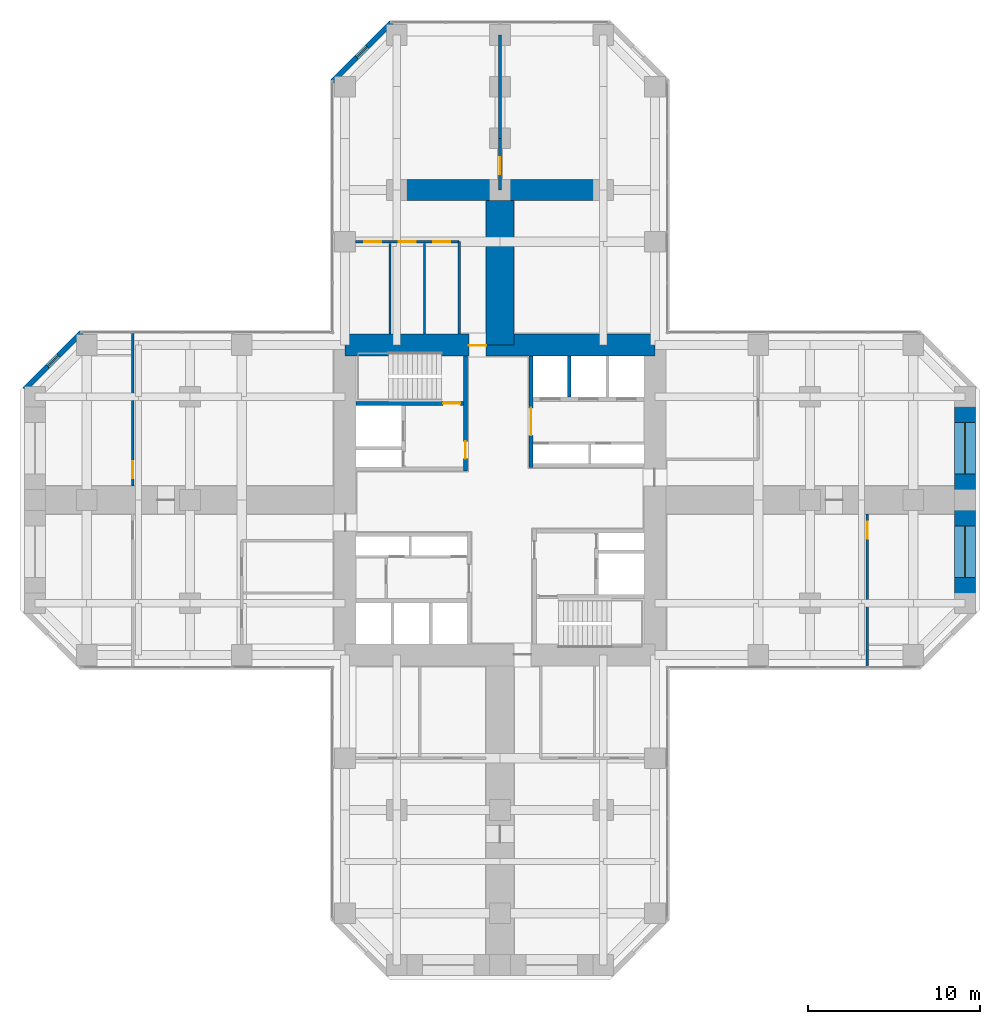
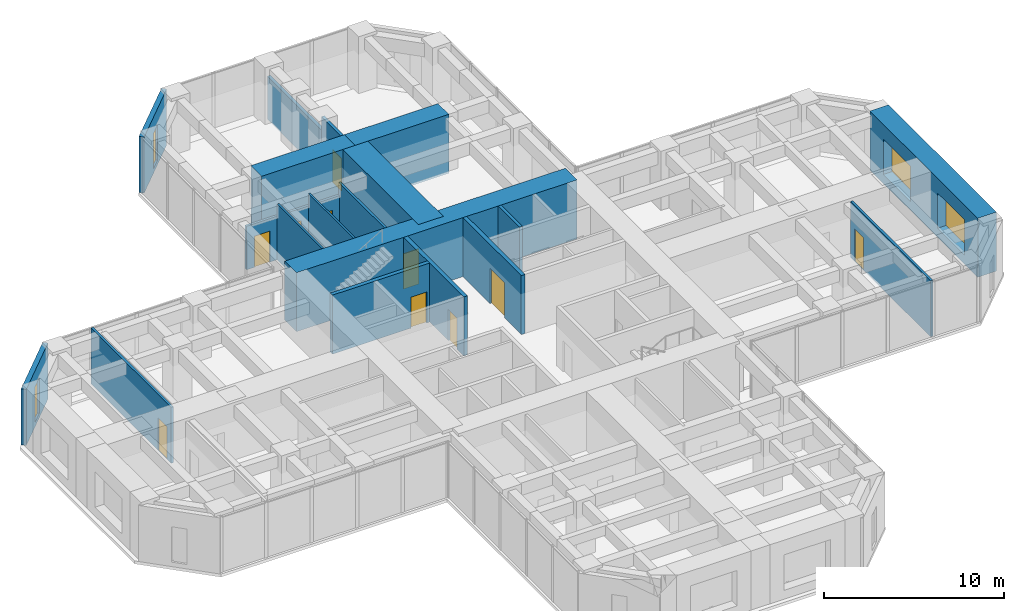
# One storey, part 10 of 12: 19 walls, 10 doors, 4 windows, 14 openings.
"""IFC4 building model written with IfcOpenShell, lengths in metres."""

from ifc_helpers import new_model, si_unit, direction, frame, frame_2d, origin, place, context, subcontext, project, spatial, rectangle, hollow_rectangle, extrude, material, layer, layer_set, constituent, constituent_set, type_object, element, fill, save


model = new_model("IFC4")

# Units and contexts
model_context = context("Model", 3, precision=1e-05, world=origin(), true_north=direction((0.0, 1.0)))
body_context = subcontext(model_context, "Body", "Model", "MODEL_VIEW")
ifc_project = project(units=[si_unit("LENGTHUNIT", "METRE"), si_unit("AREAUNIT", "SQUARE_METRE"), si_unit("VOLUMEUNIT", "CUBIC_METRE"), si_unit("PLANEANGLEUNIT", "RADIAN"), si_unit("MASSUNIT", "GRAM", prefix="KILO")], contexts=[model_context])

# Site, building, storey
site_placement = place(None, origin())
site = spatial("IfcSite", under=ifc_project, at=site_placement, CompositionType="ELEMENT")
building_placement = place(site_placement, origin())
building = spatial("IfcBuilding", under=site, at=building_placement, Name="Torre Cruceta", CompositionType="ELEMENT")
storey_placement = place(building_placement, frame((0.0, 0.0, 35.5)))
storey = spatial("IfcBuildingStorey", under=building, at=storey_placement, Name="L08", CompositionType="ELEMENT", Elevation=35.5)

# Wall, opening, door
ifc_material_1 = material(Name="Concrete G60 (fck 60 MPa)", Category="concrete")
ifc_layer_1 = layer(ifc_material_1, 0.25)
ifc_layer_set_1 = layer_set([ifc_layer_1], Name="Concrete G60 (fck 60 MPa)")
wall_type_1 = type_object("IfcWallType", Name="CORE INNER WALL 250 G60", PredefinedType="SHEAR", material=ifc_layer_set_1)
wall_1_placement = place(storey_placement, frame((1.800048828125, 1.875, 0.0), z_axis=(0.0, 0.0, 1.0), x_axis=(0.0, 1.0, 0.0)))
wall_1 = element("IfcWall", 1, at=wall_1_placement, inside=storey, type_object=wall_type_1, Name="CW4 L08 NE-CU", PredefinedType="SHEAR", context=body_context, shape_type="SweptSolid", body=[
    extrude(rectangle(XDim=6.47509765625, YDim=0.25, at=frame_2d((3.237548828125, 0.0))), origin(), (0.0, 0.0, 1.0), 4.0),
])
opening_1_placement = place(wall_1_placement, frame((1.875, 0.0, 0.0)))
opening_1 = element("IfcOpeningElement", 2, at=opening_1_placement, cuts=wall_1, Name="Opening D8", PredefinedType="OPENING", context=body_context, shape_type="SweptSolid", body=[
    extrude(rectangle(XDim=1.60009765625, YDim=2.39990234375, at=frame_2d((0.800048828125, 1.199951171875))), frame((0.0, 0.135009765625, 0.0), z_axis=(0.0, -1.0, 0.0), x_axis=(1.0, 0.0, 0.0)), (0.0, 0.0, 1.0), 0.27001953125),
])
ifc_material_2 = material(Name="Steel DX51D", Category="steel")
ifc_constituent_1 = constituent(ifc_material_2, Name="Leaf and frame")
ifc_material_3 = material(Name="Polyester powder coating", Category="paint")
ifc_constituent_2 = constituent(ifc_material_3, Name="Finish")
ifc_material_4 = material(Name="Fire-resisting glass", Category="glass")
ifc_constituent_3 = constituent(ifc_material_4, Name="Vision panel")
ifc_constituent_set_1 = constituent_set(constituents=[ifc_constituent_1, ifc_constituent_2, ifc_constituent_3], Name="Steel fire door with vision panels")
door_type_1 = type_object("IfcDoorType", Name="LIFT LOBBY DOUBLE DOOR 1600X2400", OperationType="DOUBLE_DOOR_DOUBLE_SWING", PredefinedType="DOOR", material=ifc_constituent_set_1)
door_1_placement = place(opening_1_placement, origin())
door_1 = element("IfcDoor", 3, at=door_1_placement, inside=storey, type_object=door_type_1, Name="D8 L08 NE-LOBBY", OperationType="DOUBLE_DOOR_DOUBLE_SWING", OverallHeight=2.39990234375, OverallWidth=1.60009765625, PredefinedType="DOOR", context=body_context, shape_type="SweptSolid", body=[
    extrude(rectangle(XDim=1.60009765625, YDim=2.39990234375, at=frame_2d((0.800048828125, 1.199951171875))), frame((0.0, 0.02490234375, 0.0), z_axis=(0.0, -1.0, 0.0), x_axis=(1.0, 0.0, 0.0)), (0.0, 0.0, 1.0), 0.050048828125),
])
fill(opening_1, door_1)

wall_2_placement = place(storey_placement, frame((-2.0, 1.675048828125, 0.0), z_axis=(0.0, 0.0, 1.0), x_axis=(0.0, 1.0, 0.0)))
wall_2 = element("IfcWall", 4, at=wall_2_placement, inside=storey, type_object=wall_type_1, Name="CW4 L08 NW-CU", PredefinedType="SHEAR", context=body_context, shape_type="SweptSolid", body=[
    extrude(rectangle(XDim=6.675048828125, YDim=0.25, at=frame_2d((3.33740234375, 0.0))), origin(), (0.0, 0.0, 1.0), 4.0),
])
opening_2_placement = place(wall_2_placement, frame((0.72509765625, 0.0, 0.0)))
opening_2 = element("IfcOpeningElement", 5, at=opening_2_placement, cuts=wall_2, Name="Opening D3", PredefinedType="OPENING", context=body_context, shape_type="SweptSolid", body=[
    extrude(rectangle(XDim=1.0, YDim=2.10009765625, at=frame_2d((0.5, 1.050048828125))), frame((0.0, 0.135009765625, 0.0), z_axis=(0.0, -1.0, 0.0), x_axis=(1.0, 0.0, 0.0)), (0.0, 0.0, 1.0), 0.27001953125),
])
ifc_material_5 = material(Name="Steel DX51D", Category="steel")
ifc_constituent_4 = constituent(ifc_material_5, Name="Leaf and frame")
ifc_material_6 = material(Name="Polyester powder coating", Category="paint")
ifc_constituent_5 = constituent(ifc_material_6, Name="Finish")
ifc_constituent_set_2 = constituent_set(constituents=[ifc_constituent_4, ifc_constituent_5], Name="Steel fire door")
door_type_2 = type_object("IfcDoorType", Name="FIRE DOOR 1000X2100", OperationType="SINGLE_SWING_LEFT", PredefinedType="DOOR", material=ifc_constituent_set_2)
door_2_placement = place(opening_2_placement, origin())
door_2 = element("IfcDoor", 6, at=door_2_placement, inside=storey, type_object=door_type_2, Name="D3 L08 NW-LOBBY", OperationType="SINGLE_SWING_LEFT", OverallHeight=2.10009765625, OverallWidth=1.0, PredefinedType="DOOR", context=body_context, shape_type="SweptSolid", body=[
    extrude(rectangle(XDim=1.0, YDim=2.10009765625, at=frame_2d((0.5, 1.050048828125))), frame((0.0, 0.02490234375, 0.0), z_axis=(0.0, -1.0, 0.0), x_axis=(1.0, 0.0, 0.0)), (0.0, 0.0, 1.0), 0.050048828125),
])
fill(opening_2, door_2)

wall_3_placement = place(storey_placement, frame((-2.125, 5.60009765625, 0.0), z_axis=(0.0, 0.0, 1.0), x_axis=(-1.0, 0.0, 0.0)))
wall_3 = element("IfcWall", 7, at=wall_3_placement, inside=storey, type_object=wall_type_1, Name="CW4 L08 NW-SV", PredefinedType="SHEAR", context=body_context, shape_type="SweptSolid", body=[
    extrude(rectangle(XDim=6.22509765625, YDim=0.25, at=frame_2d((3.112548828125, 0.0))), origin(), (0.0, 0.0, 1.0), 4.0),
])
opening_3_placement = place(wall_3_placement, frame((0.175048828125, 0.0, 0.0)))
opening_3 = element("IfcOpeningElement", 8, at=opening_3_placement, cuts=wall_3, Name="Opening D3", PredefinedType="OPENING", context=body_context, shape_type="SweptSolid", body=[
    extrude(rectangle(XDim=1.0, YDim=2.10009765625, at=frame_2d((0.5, 1.050048828125))), frame((0.0, 0.135009765625, 0.0), z_axis=(0.0, -1.0, 0.0), x_axis=(1.0, 0.0, 0.0)), (0.0, 0.0, 1.0), 0.27001953125),
])
door_3_placement = place(opening_3_placement, frame((1.0, 0.0, 0.0), z_axis=(0.0, 0.0, 1.0), x_axis=(-1.0, 0.0, 0.0)))
door_3 = element("IfcDoor", 9, at=door_3_placement, inside=storey, type_object=door_type_2, Name="D3 L08 NW-STAIR", OperationType="SINGLE_SWING_RIGHT", OverallHeight=2.10009765625, OverallWidth=1.0, PredefinedType="DOOR", context=body_context, shape_type="SweptSolid", body=[
    extrude(rectangle(XDim=1.0, YDim=2.10009765625, at=frame_2d((0.5, 1.050048828125))), frame((0.0, 0.025146484375, 0.0), z_axis=(0.0, -1.0, 0.0), x_axis=(1.0, 0.0, 0.0)), (0.0, 0.0, 1.0), 0.050048828125),
])
fill(opening_3, door_3)

ifc_material_7 = material(Name="Concrete G60 (fck 60 MPa)", Category="concrete")
ifc_layer_2 = layer(ifc_material_7, 1.300048828125)
ifc_layer_set_2 = layer_set([ifc_layer_2], Name="Concrete G60 (fck 60 MPa)")
wall_type_2 = type_object("IfcWallType", Name="CORE WALL 1300 G60", PredefinedType="SHEAR", material=ifc_layer_set_2)
wall_4_placement = place(storey_placement, frame((9.0, 9.0, 0.0), z_axis=(0.0, 0.0, 1.0), x_axis=(-1.0, 0.0, 0.0)))
wall_4 = element("IfcWall", 10, at=wall_4_placement, inside=storey, type_object=wall_type_2, Name="CW1 L08 CW-N", PredefinedType="SHEAR", context=body_context, shape_type="SweptSolid", body=[
    extrude(rectangle(XDim=18.0, YDim=1.300048828125, at=frame_2d((9.0, 0.0))), origin(), (0.0, 0.0, 1.0), 4.0),
])
opening_4_placement = place(wall_4_placement, frame((9.800048828125, 0.0, 0.0)))
opening_4 = element("IfcOpeningElement", 11, at=opening_4_placement, cuts=wall_4, Name="Opening D4", PredefinedType="OPENING", context=body_context, shape_type="SweptSolid", body=[
    extrude(rectangle(XDim=1.0, YDim=2.39990234375, at=frame_2d((0.5, 1.199951171875))), frame((0.0, 0.659912109375, 0.0), z_axis=(0.0, -1.0, 0.0), x_axis=(1.0, 0.0, 0.0)), (0.0, 0.0, 1.0), 1.320068359375),
])
ifc_material_8 = material(Name="Steel DX51D", Category="steel")
ifc_constituent_6 = constituent(ifc_material_8, Name="Leaf and frame")
ifc_material_9 = material(Name="Polyester powder coating", Category="paint")
ifc_constituent_7 = constituent(ifc_material_9, Name="Finish")
ifc_constituent_set_3 = constituent_set(constituents=[ifc_constituent_6, ifc_constituent_7], Name="Steel fire door")
door_type_3 = type_object("IfcDoorType", Name="CORE ARM DOOR 1000X2400", OperationType="SINGLE_SWING_RIGHT", PredefinedType="DOOR", material=ifc_constituent_set_3)
door_4_placement = place(opening_4_placement, frame((1.0, 0.0, 0.0), z_axis=(0.0, 0.0, 1.0), x_axis=(-1.0, 0.0, 0.0)))
door_4 = element("IfcDoor", 12, at=door_4_placement, inside=storey, type_object=door_type_3, Name="D4 L08 CW-N", OperationType="SINGLE_SWING_RIGHT", OverallHeight=2.39990234375, OverallWidth=1.0, PredefinedType="DOOR", context=body_context, shape_type="SweptSolid", body=[
    extrude(rectangle(XDim=1.0, YDim=2.39990234375, at=frame_2d((0.5, 1.199951171875))), frame((0.0, -0.005126953125, 0.0), z_axis=(0.0, -1.0, 0.0), x_axis=(1.0, 0.0, 0.0)), (0.0, 0.0, 1.0), 0.050048828125),
])
fill(opening_4, door_4)

ifc_material_10 = material(Name="Concrete G25 (fck 25 MPa)", Category="concrete")
ifc_layer_3 = layer(ifc_material_10, 0.199951171875)
ifc_layer_set_3 = layer_set([ifc_layer_3], Name="Concrete G25 (fck 25 MPa)")
wall_type_3 = type_object("IfcWallType", Name="CORRIDOR WALL 200", PredefinedType="SOLIDWALL", material=ifc_layer_set_3)
wall_5_placement = place(storey_placement, frame((0.0, 18.0, 0.0), z_axis=(0.0, 0.0, 1.0), x_axis=(0.0, 1.0, 0.0)))
wall_5 = element("IfcWall", 13, at=wall_5_placement, inside=storey, type_object=wall_type_3, Name="PT3 spine line L08 N", PredefinedType="SOLIDWALL", context=body_context, shape_type="SweptSolid", body=[
    extrude(rectangle(XDim=3.0, YDim=0.199951171875, at=frame_2d((1.5, 0.0))), origin(), (0.0, 0.0, 1.0), 3.800048828125),
])
opening_5_placement = place(wall_5_placement, frame((0.89990234375, 0.0, 0.0)))
opening_5 = element("IfcOpeningElement", 14, at=opening_5_placement, cuts=wall_5, Name="Opening D14", PredefinedType="OPENING", context=body_context, shape_type="SweptSolid", body=[
    extrude(rectangle(XDim=1.0, YDim=2.199951171875, at=frame_2d((0.5, 1.10009765625))), frame((0.0, 0.10986328125, 0.0), z_axis=(0.0, -1.0, 0.0), x_axis=(1.0, 0.0, 0.0)), (0.0, 0.0, 1.0), 0.219970703125),
])
ifc_material_11 = material(Name="Steel DX51D", Category="steel")
ifc_constituent_8 = constituent(ifc_material_11, Name="Leaf and frame")
ifc_material_12 = material(Name="Polyester powder coating", Category="paint")
ifc_constituent_9 = constituent(ifc_material_12, Name="Finish")
ifc_material_13 = material(Name="Fire-resisting glass", Category="glass")
ifc_constituent_10 = constituent(ifc_material_13, Name="Vision panel")
ifc_constituent_set_4 = constituent_set(constituents=[ifc_constituent_8, ifc_constituent_9, ifc_constituent_10], Name="Steel fire door with vision panel")
door_type_4 = type_object("IfcDoorType", Name="FIRE DOOR VISION PANEL 1000X2200", OperationType="SINGLE_SWING_RIGHT", PredefinedType="DOOR", material=ifc_constituent_set_4)
door_5_placement = place(opening_5_placement, origin())
door_5 = element("IfcDoor", 15, at=door_5_placement, inside=storey, type_object=door_type_4, Name="D14 L08-N-SP1", OperationType="SINGLE_SWING_LEFT", OverallHeight=2.199951171875, OverallWidth=1.0, PredefinedType="DOOR", context=body_context, shape_type="SweptSolid", body=[
    extrude(rectangle(XDim=1.0, YDim=2.199951171875, at=frame_2d((0.5, 1.10009765625))), frame((0.0, 0.02490234375, 0.0), z_axis=(0.0, -1.0, 0.0), x_axis=(1.0, 0.0, 0.0)), (0.0, 0.0, 1.0), 0.050048828125),
])
fill(opening_5, door_5)

# Walls
wall_6_placement = place(storey_placement, frame((0.0, 21.0, 0.0), z_axis=(0.0, 0.0, 1.0), x_axis=(0.0, 1.0, 0.0)))
element("IfcWall", 16, at=wall_6_placement, inside=storey, type_object=wall_type_3, Name="PT3 spine line L08 N 2", PredefinedType="SOLIDWALL", context=body_context, shape_type="SweptSolid", body=[
    extrude(rectangle(XDim=6.0, YDim=0.199951171875, at=frame_2d((3.0, 0.0))), origin(), (0.0, 0.0, 1.0), 2.89990234375),
])
ifc_material_14 = material(Name="Concrete G60 (fck 60 MPa)", Category="concrete")
ifc_layer_4 = layer(ifc_material_14, 1.199951171875)
ifc_layer_set_4 = layer_set([ifc_layer_4], Name="Concrete G60 (fck 60 MPa)")
wall_type_4 = type_object("IfcWallType", Name="CROSS WALL 1200 G60", PredefinedType="SHEAR", material=ifc_layer_set_4)
for number, where, z_axis, x_axis, name in (
    (17, (0.0, 18.0, 0.0), (0.0, 0.0, 1.0), (-1.0, 0.0, 0.0), "XW1 cross wall L08 N L"),
    (18, (0.0, 18.0, 0.0), (0.0, 0.0, 1.0), (1.0, 0.0, 0.0), "XW1 cross wall L08 N R"),
):
    element("IfcWall", number, at=place(storey_placement, frame(where, z_axis=z_axis, x_axis=x_axis)), inside=storey, type_object=wall_type_4, Name=name, PredefinedType="SHEAR", context=body_context, shape_type="SweptSolid", body=[
        extrude(rectangle(XDim=6.0, YDim=1.199951171875, at=frame_2d((3.0, 0.0))), origin(), (0.0, 0.0, 1.0), 4.0),
    ])

# Wall, opening, window
ifc_material_15 = material(Name="Concrete G30 (fck 30 MPa)", Category="concrete")
ifc_layer_5 = layer(ifc_material_15, 0.300048828125)
ifc_layer_set_5 = layer_set([ifc_layer_5], Name="Concrete G30 (fck 30 MPa)")
wall_type_5 = type_object("IfcWallType", Name="EXPOSED CONCRETE FACADE WALL 300", PredefinedType="SOLIDWALL", material=ifc_layer_set_5)
wall_7_placement = place(storey_placement, frame((-6.29833984375, 27.719970703125, 0.0), z_axis=(0.0, 0.0, 1.0), x_axis=(-0.707106781187, -0.707106781187, 0.0)))
wall_7 = element("IfcWall", 19, at=wall_7_placement, inside=storey, type_object=wall_type_5, Name="EW1 facade wall L08 N chamfer 08", PredefinedType="SOLIDWALL", context=body_context, shape_type="SweptSolid", body=[
    extrude(rectangle(XDim=4.8388671875, YDim=0.300048828125, at=frame_2d((2.41943359375, 0.0))), origin(), (0.0, 0.0, 1.0), 3.800048828125),
])
opening_6_placement = place(wall_7_placement, frame((1.969482421875, 0.0, 0.300048828125)))
opening_6 = element("IfcOpeningElement", 20, at=opening_6_placement, cuts=wall_7, Name="Opening WN5", PredefinedType="OPENING", context=body_context, shape_type="SweptSolid", body=[
    extrude(rectangle(XDim=0.89990234375, YDim=2.39990234375, at=frame_2d((0.449951171875, 1.199951171875))), frame((0.0, 0.159912109375, 0.0), z_axis=(0.0, -1.0, 0.0), x_axis=(1.0, 0.0, 0.0)), (0.0, 0.0, 1.0), 0.320068359375),
])
ifc_material_16 = material(Name="Aluminium window frame", Category="aluminium")
ifc_constituent_11 = constituent(ifc_material_16, Name="Frame")
ifc_material_17 = material(Name="Laminated insulating glass unit, low-iron clear", Category="glass")
ifc_constituent_12 = constituent(ifc_material_17, Name="Glazing")
ifc_constituent_set_5 = constituent_set(constituents=[ifc_constituent_11, ifc_constituent_12], Name="Aluminium window")
window_type_1 = type_object("IfcWindowType", Name="CHAMFER SLOT WINDOW 900X2400", PartitioningType="SINGLE_PANEL", PredefinedType="WINDOW", material=ifc_constituent_set_5)
window_1_placement = place(opening_6_placement, origin())
window_1 = element("IfcWindow", 21, at=window_1_placement, inside=storey, type_object=window_type_1, Name="WN5 L08 N 1", OverallHeight=2.39990234375, OverallWidth=0.89990234375, PartitioningType="SINGLE_PANEL", PredefinedType="WINDOW", context=body_context, shape_type="SweptSolid", body=[
    extrude(hollow_rectangle(XDim=0.89990234375, YDim=2.39990234375, WallThickness=0.06005859375, at=frame_2d((0.449951171875, 1.199951171875))), frame((0.0, 0.030029296875, 0.0), z_axis=(0.0, -1.0, 0.0), x_axis=(1.0, 0.0, 0.0)), (0.0, 0.0, 1.0), 0.06005859375),
    extrude(rectangle(XDim=0.77880859375, YDim=2.27880859375, at=frame_2d((0.449951171875, 1.199951171875))), frame((0.0, 0.030029296875, 0.0), z_axis=(0.0, -1.0, 0.0), x_axis=(1.0, 0.0, 0.0)), (0.0, 0.0, 1.0), 0.06005859375),
])
fill(opening_6, window_1)

wall_8_placement = place(storey_placement, frame((-24.29833984375, 9.719970703125, 0.0), z_axis=(0.0, 0.0, 1.0), x_axis=(-0.707106781187, -0.707106781187, 0.0)))
wall_8 = element("IfcWall", 22, at=wall_8_placement, inside=storey, type_object=wall_type_5, Name="EW1 facade wall L08 W chamfer 11", PredefinedType="SOLIDWALL", context=body_context, shape_type="SweptSolid", body=[
    extrude(rectangle(XDim=4.66943359375, YDim=0.300048828125, at=frame_2d((2.334716796875, 0.0))), origin(), (0.0, 0.0, 1.0), 3.800048828125),
])
opening_7_placement = place(wall_8_placement, frame((1.884765625, 0.0, 0.300048828125)))
opening_7 = element("IfcOpeningElement", 23, at=opening_7_placement, cuts=wall_8, Name="Opening WN5", PredefinedType="OPENING", context=body_context, shape_type="SweptSolid", body=[
    extrude(rectangle(XDim=0.89990234375, YDim=2.39990234375, at=frame_2d((0.449951171875, 1.199951171875))), frame((0.0, 0.159912109375, 0.0), z_axis=(0.0, -1.0, 0.0), x_axis=(1.0, 0.0, 0.0)), (0.0, 0.0, 1.0), 0.320068359375),
])
window_2_placement = place(opening_7_placement, origin())
window_2 = element("IfcWindow", 24, at=window_2_placement, inside=storey, type_object=window_type_1, Name="WN5 L08 W 1", OverallHeight=2.39990234375, OverallWidth=0.89990234375, PartitioningType="SINGLE_PANEL", PredefinedType="WINDOW", context=body_context, shape_type="SweptSolid", body=[
    extrude(hollow_rectangle(XDim=0.89990234375, YDim=2.39990234375, WallThickness=0.06005859375, at=frame_2d((0.449951171875, 1.199951171875))), frame((0.0, 0.030029296875, 0.0), z_axis=(0.0, -1.0, 0.0), x_axis=(1.0, 0.0, 0.0)), (0.0, 0.0, 1.0), 0.06005859375),
    extrude(rectangle(XDim=0.77880859375, YDim=2.27880859375, at=frame_2d((0.449951171875, 1.199951171875))), frame((0.0, 0.030029296875, 0.0), z_axis=(0.0, -1.0, 0.0), x_axis=(1.0, 0.0, 0.0)), (0.0, 0.0, 1.0), 0.06005859375),
])
fill(opening_7, window_2)

# Wall
ifc_material_18 = material(Name="Concrete G35 (fck 35 MPa)", Category="concrete")
ifc_layer_6 = layer(ifc_material_18, 0.199951171875)
ifc_layer_set_6 = layer_set([ifc_layer_6], Name="Concrete G35 (fck 35 MPa)")
wall_type_6 = type_object("IfcWallType", Name="LIFT SHAFT WALL 200", PredefinedType="PARTITIONING", material=ifc_layer_set_6)
wall_9_placement = place(storey_placement, frame((4.033447265625, 5.97509765625, 0.0), z_axis=(0.0, 0.0, 1.0), x_axis=(0.0, 1.0, 0.0)))
element("IfcWall", 25, at=wall_9_placement, inside=storey, type_object=wall_type_6, Name="SW1 L08 NE-LS1", PredefinedType="PARTITIONING", context=body_context, shape_type="SweptSolid", body=[
    extrude(rectangle(XDim=2.375, YDim=0.199951171875, at=frame_2d((1.1875, 0.0))), origin(), (0.0, 0.0, 1.0), 4.0),
])

# Wall, openings, windows
ifc_material_19 = material(Name="Concrete G60 (fck 60 MPa)", Category="concrete")
ifc_layer_7 = layer(ifc_material_19, 1.199951171875)
ifc_layer_set_7 = layer_set([ifc_layer_7], Name="Concrete G60 (fck 60 MPa)")
wall_type_7 = type_object("IfcWallType", Name="NOSE WALL 1200 G60", PredefinedType="SHEAR", material=ifc_layer_set_7)
wall_10_placement = place(storey_placement, frame((27.0, -6.0, 0.0), z_axis=(0.0, 0.0, 1.0), x_axis=(0.0, 1.0, 0.0)))
wall_10 = element("IfcWall", 26, at=wall_10_placement, inside=storey, type_object=wall_type_7, Name="NW1 nose wall L08 E", PredefinedType="SHEAR", context=body_context, shape_type="SweptSolid", body=[
    extrude(rectangle(XDim=12.0, YDim=1.199951171875, at=frame_2d((6.0, 0.0))), origin(), (0.0, 0.0, 1.0), 4.0),
])
opening_8_placement = place(wall_10_placement, frame((1.5, 0.0, 0.60009765625)))
opening_8 = element("IfcOpeningElement", 27, at=opening_8_placement, cuts=wall_10, Name="Opening WN6", PredefinedType="OPENING", context=body_context, shape_type="SweptSolid", body=[
    extrude(rectangle(XDim=3.0, YDim=2.39990234375, at=frame_2d((1.5, 1.199951171875))), frame((0.0, 0.60986328125, 0.0), z_axis=(0.0, -1.0, 0.0), x_axis=(1.0, 0.0, 0.0)), (0.0, 0.0, 1.0), 1.219970703125),
])
opening_9_placement = place(wall_10_placement, frame((7.5, 0.0, 0.60009765625)))
opening_9 = element("IfcOpeningElement", 28, at=opening_9_placement, cuts=wall_10, Name="Opening WN6", PredefinedType="OPENING", context=body_context, shape_type="SweptSolid", body=[
    extrude(rectangle(XDim=3.0, YDim=2.39990234375, at=frame_2d((1.5, 1.199951171875))), frame((0.0, 0.60986328125, 0.0), z_axis=(0.0, -1.0, 0.0), x_axis=(1.0, 0.0, 0.0)), (0.0, 0.0, 1.0), 1.219970703125),
])
ifc_material_20 = material(Name="Aluminium window frame", Category="aluminium")
ifc_constituent_13 = constituent(ifc_material_20, Name="Frame")
ifc_material_21 = material(Name="Laminated insulating glass unit, low-iron clear", Category="glass")
ifc_constituent_14 = constituent(ifc_material_21, Name="Glazing")
ifc_constituent_set_6 = constituent_set(constituents=[ifc_constituent_13, ifc_constituent_14], Name="Aluminium window")
window_type_2 = type_object("IfcWindowType", Name="NOSE WALL WINDOW 3000X2400", PartitioningType="SINGLE_PANEL", PredefinedType="WINDOW", material=ifc_constituent_set_6)
window_3_placement = place(opening_8_placement, origin())
window_3 = element("IfcWindow", 29, at=window_3_placement, inside=storey, type_object=window_type_2, Name="WN6 L08 E 1", OverallHeight=2.39990234375, OverallWidth=3.0, PartitioningType="SINGLE_PANEL", PredefinedType="WINDOW", context=body_context, shape_type="SweptSolid", body=[
    extrude(hollow_rectangle(XDim=3.0, YDim=2.39990234375, WallThickness=0.06005859375, at=frame_2d((1.5, 1.199951171875))), frame((0.0, 0.030029296875, 0.0), z_axis=(0.0, -1.0, 0.0), x_axis=(1.0, 0.0, 0.0)), (0.0, 0.0, 1.0), 0.06005859375),
    extrude(rectangle(XDim=2.87890625, YDim=2.27880859375, at=frame_2d((1.5, 1.199951171875))), frame((0.0, 0.030029296875, 0.0), z_axis=(0.0, -1.0, 0.0), x_axis=(1.0, 0.0, 0.0)), (0.0, 0.0, 1.0), 0.06005859375),
])
fill(opening_8, window_3)
window_4_placement = place(opening_9_placement, origin())
window_4 = element("IfcWindow", 30, at=window_4_placement, inside=storey, type_object=window_type_2, Name="WN6 L08 E 2", OverallHeight=2.39990234375, OverallWidth=3.0, PartitioningType="SINGLE_PANEL", PredefinedType="WINDOW", context=body_context, shape_type="SweptSolid", body=[
    extrude(hollow_rectangle(XDim=3.0, YDim=2.39990234375, WallThickness=0.06005859375, at=frame_2d((1.5, 1.199951171875))), frame((0.0, 0.030029296875, 0.0), z_axis=(0.0, -1.0, 0.0), x_axis=(1.0, 0.0, 0.0)), (0.0, 0.0, 1.0), 0.06005859375),
    extrude(rectangle(XDim=2.87890625, YDim=2.27880859375, at=frame_2d((1.5, 1.199951171875))), frame((0.0, 0.030029296875, 0.0), z_axis=(0.0, -1.0, 0.0), x_axis=(1.0, 0.0, 0.0)), (0.0, 0.0, 1.0), 0.06005859375),
])
fill(opening_9, window_4)

# Wall, openings, doors
ifc_material_22 = material(Name="Plasterboard on steel studs", Category="steel")
ifc_layer_8 = layer(ifc_material_22, 0.14990234375)
ifc_layer_set_8 = layer_set([ifc_layer_8], Name="Plasterboard on steel studs")
wall_type_8 = type_object("IfcWallType", Name="PARTITION 150", PredefinedType="PARTITIONING", material=ifc_layer_set_8)
wall_11_placement = place(storey_placement, frame((-2.375, 15.0, 0.0), z_axis=(0.0, 0.0, 1.0), x_axis=(-1.0, 0.0, 0.0)))
wall_11 = element("IfcWall", 31, at=wall_11_placement, inside=storey, type_object=wall_type_8, Name="PT1 L08-N-BFL", PredefinedType="PARTITIONING", context=body_context, shape_type="SweptSolid", body=[
    extrude(rectangle(XDim=6.02490234375, YDim=0.14990234375, at=frame_2d((3.012451171875, 0.0))), origin(), (0.0, 0.0, 1.0), 2.949951171875),
])
opening_10_placement = place(wall_11_placement, frame((0.504150390625, 0.0, 0.0)))
opening_10 = element("IfcOpeningElement", 32, at=opening_10_placement, cuts=wall_11, Name="Opening D3", PredefinedType="OPENING", context=body_context, shape_type="SweptSolid", body=[
    extrude(rectangle(XDim=1.0, YDim=2.10009765625, at=frame_2d((0.5, 1.050048828125))), frame((0.0, 0.0849609375, 0.0), z_axis=(0.0, -1.0, 0.0), x_axis=(1.0, 0.0, 0.0)), (0.0, 0.0, 1.0), 0.169921875),
])
opening_11_placement = place(wall_11_placement, frame((2.512451171875, 0.0, 0.0)))
opening_11 = element("IfcOpeningElement", 33, at=opening_11_placement, cuts=wall_11, Name="Opening D3", PredefinedType="OPENING", context=body_context, shape_type="SweptSolid", body=[
    extrude(rectangle(XDim=1.0, YDim=2.10009765625, at=frame_2d((0.5, 1.050048828125))), frame((0.0, 0.0849609375, 0.0), z_axis=(0.0, -1.0, 0.0), x_axis=(1.0, 0.0, 0.0)), (0.0, 0.0, 1.0), 0.169921875),
])
opening_12_placement = place(wall_11_placement, frame((4.520751953125, 0.0, 0.0)))
opening_12 = element("IfcOpeningElement", 34, at=opening_12_placement, cuts=wall_11, Name="Opening D3", PredefinedType="OPENING", context=body_context, shape_type="SweptSolid", body=[
    extrude(rectangle(XDim=1.0, YDim=2.10009765625, at=frame_2d((0.5, 1.050048828125))), frame((0.0, 0.0849609375, 0.0), z_axis=(0.0, -1.0, 0.0), x_axis=(1.0, 0.0, 0.0)), (0.0, 0.0, 1.0), 0.169921875),
])
door_6_placement = place(opening_10_placement, origin())
door_6 = element("IfcDoor", 35, at=door_6_placement, inside=storey, type_object=door_type_2, Name="D3 L08-N-BFL-D1", OperationType="SINGLE_SWING_LEFT", OverallHeight=2.10009765625, OverallWidth=1.0, PredefinedType="DOOR", context=body_context, shape_type="SweptSolid", body=[
    extrude(rectangle(XDim=1.0, YDim=2.10009765625, at=frame_2d((0.5, 1.050048828125))), frame((0.0, 0.02490234375, 0.0), z_axis=(0.0, -1.0, 0.0), x_axis=(1.0, 0.0, 0.0)), (0.0, 0.0, 1.0), 0.050048828125),
])
fill(opening_10, door_6)
door_7_placement = place(opening_11_placement, origin())
door_7 = element("IfcDoor", 36, at=door_7_placement, inside=storey, type_object=door_type_2, Name="D3 L08-N-BFL-D2", OperationType="SINGLE_SWING_LEFT", OverallHeight=2.10009765625, OverallWidth=1.0, PredefinedType="DOOR", context=body_context, shape_type="SweptSolid", body=[
    extrude(rectangle(XDim=1.0, YDim=2.10009765625, at=frame_2d((0.5, 1.050048828125))), frame((0.0, 0.02490234375, 0.0), z_axis=(0.0, -1.0, 0.0), x_axis=(1.0, 0.0, 0.0)), (0.0, 0.0, 1.0), 0.050048828125),
])
fill(opening_11, door_7)
door_8_placement = place(opening_12_placement, origin())
door_8 = element("IfcDoor", 37, at=door_8_placement, inside=storey, type_object=door_type_2, Name="D3 L08-N-BFL-D3", OperationType="SINGLE_SWING_LEFT", OverallHeight=2.10009765625, OverallWidth=1.0, PredefinedType="DOOR", context=body_context, shape_type="SweptSolid", body=[
    extrude(rectangle(XDim=1.0, YDim=2.10009765625, at=frame_2d((0.5, 1.050048828125))), frame((0.0, 0.02490234375, 0.0), z_axis=(0.0, -1.0, 0.0), x_axis=(1.0, 0.0, 0.0)), (0.0, 0.0, 1.0), 0.050048828125),
])
fill(opening_12, door_8)

# Wall
wall_12_placement = place(storey_placement, frame((-2.375, 9.64990234375, 0.0), z_axis=(0.0, 0.0, 1.0), x_axis=(0.0, 1.0, 0.0)))
element("IfcWall", 38, at=wall_12_placement, inside=storey, type_object=wall_type_8, Name="PT1 L08-N-BSL", PredefinedType="PARTITIONING", context=body_context, shape_type="SweptSolid", body=[
    extrude(rectangle(XDim=5.35009765625, YDim=0.14990234375, at=frame_2d((2.675048828125, 0.0))), origin(), (0.0, 0.0, 1.0), 3.800048828125),
])

# Wall, opening, door
wall_13_placement = place(storey_placement, frame((21.320068359375, -9.679931640625, 0.0), z_axis=(0.0, 0.0, 1.0), x_axis=(0.0, 1.0, 0.0)))
wall_13 = element("IfcWall", 39, at=wall_13_placement, inside=storey, type_object=wall_type_8, Name="PT1 L08-E-TWR", PredefinedType="PARTITIONING", context=body_context, shape_type="SweptSolid", body=[
    extrude(rectangle(XDim=8.8798828125, YDim=0.14990234375, at=frame_2d((4.43994140625, 0.0))), origin(), (0.0, 0.0, 1.0), 3.800048828125),
])
opening_13_placement = place(wall_13_placement, frame((7.429931640625, 0.0, 0.0)))
opening_13 = element("IfcOpeningElement", 40, at=opening_13_placement, cuts=wall_13, Name="Opening D14", PredefinedType="OPENING", context=body_context, shape_type="SweptSolid", body=[
    extrude(rectangle(XDim=1.0, YDim=2.199951171875, at=frame_2d((0.5, 1.10009765625))), frame((0.0, 0.0849609375, 0.0), z_axis=(0.0, -1.0, 0.0), x_axis=(1.0, 0.0, 0.0)), (0.0, 0.0, 1.0), 0.169921875),
])
door_9_placement = place(opening_13_placement, frame((1.0, 0.0, 0.0), z_axis=(0.0, 0.0, 1.0), x_axis=(-1.0, 0.0, 0.0)))
door_9 = element("IfcDoor", 41, at=door_9_placement, inside=storey, type_object=door_type_4, Name="D14 L08-E-TWR-D1", OperationType="SINGLE_SWING_LEFT", OverallHeight=2.199951171875, OverallWidth=1.0, PredefinedType="DOOR", context=body_context, shape_type="SweptSolid", body=[
    extrude(rectangle(XDim=1.0, YDim=2.199951171875, at=frame_2d((0.5, 1.10009765625))), frame((0.0, 0.025146484375, 0.0), z_axis=(0.0, -1.0, 0.0), x_axis=(1.0, 0.0, 0.0)), (0.0, 0.0, 1.0), 0.050048828125),
])
fill(opening_13, door_9)

wall_14_placement = place(storey_placement, frame((-21.320068359375, 9.679931640625, 0.0), z_axis=(0.0, 0.0, 1.0), x_axis=(0.0, -1.0, 0.0)))
wall_14 = element("IfcWall", 42, at=wall_14_placement, inside=storey, type_object=wall_type_8, Name="PT1 L08-W-TWR", PredefinedType="PARTITIONING", context=body_context, shape_type="SweptSolid", body=[
    extrude(rectangle(XDim=8.8798828125, YDim=0.14990234375, at=frame_2d((4.43994140625, 0.0))), origin(), (0.0, 0.0, 1.0), 3.800048828125),
])
opening_14_placement = place(wall_14_placement, frame((7.429931640625, 0.0, 0.0)))
opening_14 = element("IfcOpeningElement", 43, at=opening_14_placement, cuts=wall_14, Name="Opening D14", PredefinedType="OPENING", context=body_context, shape_type="SweptSolid", body=[
    extrude(rectangle(XDim=1.0, YDim=2.199951171875, at=frame_2d((0.5, 1.10009765625))), frame((0.0, 0.0849609375, 0.0), z_axis=(0.0, -1.0, 0.0), x_axis=(1.0, 0.0, 0.0)), (0.0, 0.0, 1.0), 0.169921875),
])
door_10_placement = place(opening_14_placement, frame((1.0, 0.0, 0.0), z_axis=(0.0, 0.0, 1.0), x_axis=(-1.0, 0.0, 0.0)))
door_10 = element("IfcDoor", 44, at=door_10_placement, inside=storey, type_object=door_type_4, Name="D14 L08-W-TWR-D1", OperationType="SINGLE_SWING_LEFT", OverallHeight=2.199951171875, OverallWidth=1.0, PredefinedType="DOOR", context=body_context, shape_type="SweptSolid", body=[
    extrude(rectangle(XDim=1.0, YDim=2.199951171875, at=frame_2d((0.5, 1.10009765625))), frame((0.0, 0.025146484375, 0.0), z_axis=(0.0, -1.0, 0.0), x_axis=(1.0, 0.0, 0.0)), (0.0, 0.0, 1.0), 0.050048828125),
])
fill(opening_14, door_10)

# Walls
ifc_material_23 = material(Name="Concrete G60 (fck 60 MPa)", Category="concrete")
ifc_layer_9 = layer(ifc_material_23, 1.60009765625)
ifc_layer_set_9 = layer_set([ifc_layer_9], Name="Concrete G60 (fck 60 MPa)")
wall_type_9 = type_object("IfcWallType", Name="SPINE WALL 1600 G60", PredefinedType="SHEAR", material=ifc_layer_set_9)
wall_15_placement = place(storey_placement, frame((0.0, 9.0, 0.0), z_axis=(0.0, 0.0, 1.0), x_axis=(0.0, 1.0, 0.0)))
element("IfcWall", 45, at=wall_15_placement, inside=storey, type_object=wall_type_9, Name="SW2 spine wall L08 N", PredefinedType="SHEAR", context=body_context, shape_type="SweptSolid", body=[
    extrude(rectangle(XDim=9.0, YDim=1.60009765625, at=frame_2d((4.5, 0.0))), origin(), (0.0, 0.0, 1.0), 4.0),
])
ifc_material_24 = material(Name="Plasterboard on steel studs", Category="steel")
ifc_layer_10 = layer(ifc_material_24, 0.1201171875)
ifc_layer_set_10 = layer_set([ifc_layer_10], Name="Plasterboard on steel studs")
wall_type_10 = type_object("IfcWallType", Name="WC PARTITION 120", PredefinedType="PLUMBINGWALL", material=ifc_layer_set_10)
for number, where, z_axis, x_axis, name in (
    (46, (-4.38330078125, 9.64990234375, 0.0), (0.0, 0.0, 1.0), (0.0, 1.0, 0.0), "PT5 L08-N-BDL1"),
    (47, (-6.3916015625, 9.64990234375, 0.0), (0.0, 0.0, 1.0), (0.0, 1.0, 0.0), "PT5 L08-N-BDL2"),
):
    element("IfcWall", number, at=place(storey_placement, frame(where, z_axis=z_axis, x_axis=x_axis)), inside=storey, type_object=wall_type_10, Name=name, PredefinedType="PLUMBINGWALL", context=body_context, shape_type="SweptSolid", body=[
        extrude(rectangle(XDim=5.25, YDim=0.1201171875, at=frame_2d((2.625, 0.0))), origin(), (0.0, 0.0, 1.0), 3.800048828125),
    ])

save(model, "model.ifc")
